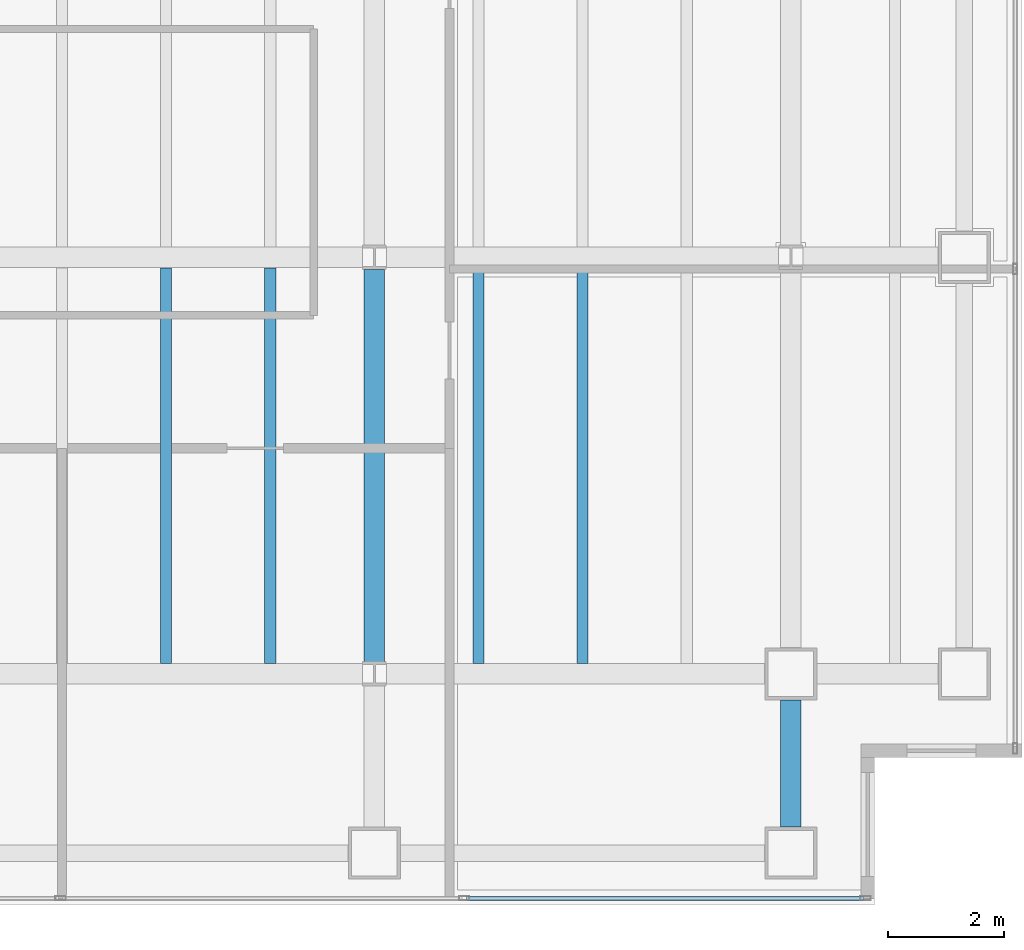
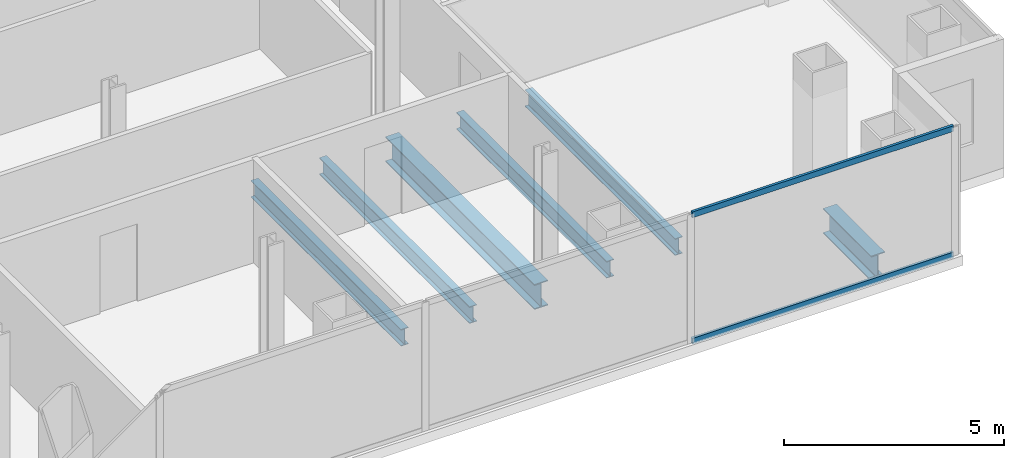
# One storey, part 10 of 23: 6 beams, 2 members, 1 element without a shape of its own.
"""IFC4 building model written with IfcOpenShell, lengths in metres."""

from ifc_helpers import new_model, si_unit, direction, frame, origin, origin_2d, place, context, subcontext, project, spatial, hollow_rectangle, i_section, extrude, material, material_profile, profile_set, type_object, element, aggregate, save


model = new_model("IFC4")

# Units and contexts
model_context = context("Model", 3, precision=1e-05, world=origin(), true_north=direction((0.0, 1.0)))
body_context = subcontext(model_context, "Body", "Model", "MODEL_VIEW")
ifc_project = project(units=[si_unit("LENGTHUNIT", "METRE"), si_unit("AREAUNIT", "SQUARE_METRE"), si_unit("VOLUMEUNIT", "CUBIC_METRE"), si_unit("PLANEANGLEUNIT", "RADIAN"), si_unit("MASSUNIT", "GRAM", prefix="KILO")], contexts=[model_context])

# Site, building, storey
site_placement = place(None, origin())
site = spatial("IfcSite", under=ifc_project, at=site_placement, CompositionType="ELEMENT")
building_placement = place(site_placement, origin())
building = spatial("IfcBuilding", under=site, at=building_placement, Name="Cobrela Telecom Tower", CompositionType="ELEMENT")
storey_placement = place(building_placement, frame((0.0, 0.0, 129.14990234375)))
storey = spatial("IfcBuildingStorey", under=building, at=storey_placement, Name="L32", CompositionType="ELEMENT", Elevation=129.14990234375)

# Beams
ifc_material_1 = material(Name="Steel ASTM A992 Grade 50", Category="steel")
ifc_material_profile_1 = material_profile(ifc_material_1, i_section(OverallWidth=0.35595703125, OverallDepth=0.696044921875, WebThickness=0.015380859375, FlangeThickness=0.024658203125, FilletRadius=0.01806640625, at=origin_2d()), Name="W27X146")
ifc_profile_set_1 = profile_set([ifc_material_profile_1], Name="Steel ASTM A992 Grade 50")
beam_type_1 = type_object("IfcBeamType", Name="BM-GIRD-05", PredefinedType="USERDEFINED", material=ifc_profile_set_1)
beam_1_placement = place(storey_placement, frame((36.0, 7.409423828125, -0.617919921875), z_axis=(0.0, 1.0, 0.0), x_axis=(-1.0, 0.0, 0.0)))
element("IfcBeam", 1, at=beam_1_placement, inside=storey, type_object=beam_type_1, Name="L32 Primary Girder Y50", ObjectType="GIRDER", PredefinedType="USERDEFINED", context=body_context, shape_type="SweptSolid", body=[
    extrude(i_section(OverallWidth=0.35595703125, OverallDepth=0.696044921875, WebThickness=0.015380859375, FlangeThickness=0.024658203125, FilletRadius=0.01806640625, at=origin_2d()), origin(), (0.0, 0.0, 1.0), 6.781005859375),
])
beam_2_placement = place(storey_placement, frame((43.199951171875, 4.554931640625, -0.617919921875), z_axis=(0.0, 1.0, 0.0), x_axis=(-1.0, 0.0, 0.0)))
element("IfcBeam", 2, at=beam_2_placement, inside=storey, type_object=beam_type_1, Name="L32 Primary Girder Y52", ObjectType="GIRDER", PredefinedType="USERDEFINED", context=body_context, shape_type="SweptSolid", body=[
    extrude(i_section(OverallWidth=0.35595703125, OverallDepth=0.696044921875, WebThickness=0.015380859375, FlangeThickness=0.024658203125, FilletRadius=0.01806640625, at=origin_2d()), origin(), (0.0, 0.0, 1.0), 2.190185546875),
])
ifc_material_profile_2 = material_profile(ifc_material_1, i_section(OverallWidth=0.193115234375, OverallDepth=0.467041015625, WebThickness=0.011474609375, FlangeThickness=0.01904296875, FilletRadius=0.012939453125, at=origin_2d()), Name="W18X65")
ifc_profile_set_2 = profile_set([ifc_material_profile_2], Name="Steel ASTM A992 Grade 50")
beam_type_2 = type_object("IfcBeamType", Name="BM-JOIST-03", PredefinedType="JOIST", material=ifc_profile_set_2)
for number, where, z_axis, x_axis, name in (
    (3, (32.39990234375, 7.383056640625, -0.50341796875), (0.0, 1.0, 0.0), (-1.0, 0.0, 0.0), "L32 Secondary Composite Floor Beam J29"),
    (4, (34.199951171875, 7.383056640625, -0.50341796875), (0.0, 1.0, 0.0), (-1.0, 0.0, 0.0), "L32 Secondary Composite Floor Beam J31"),
    (5, (37.800048828125, 7.383056640625, -0.50341796875), (0.0, 1.0, 0.0), (-1.0, 0.0, 0.0), "L32 Secondary Composite Floor Beam J33"),
    (6, (39.60009765625, 7.383056640625, -0.50341796875), (0.0, 1.0, 0.0), (-1.0, 0.0, 0.0), "L32 Secondary Composite Floor Beam J35"),
):
    element("IfcBeam", number, at=place(storey_placement, frame(where, z_axis=z_axis, x_axis=x_axis)), inside=storey, type_object=beam_type_2, Name=name, PredefinedType="JOIST", context=body_context, shape_type="SweptSolid", body=[
        extrude(i_section(OverallWidth=0.193115234375, OverallDepth=0.467041015625, WebThickness=0.011474609375, FlangeThickness=0.01904296875, FilletRadius=0.012939453125, at=origin_2d()), origin(), (0.0, 0.0, 1.0), 6.833984375),
    ])

# Curtain wall, members
ifc_material_2 = material(Name="Anodized Bronze Aluminium 6063-T6", Category="aluminium")
curtain_wall_type = type_object("IfcCurtainWallType", Name="CW-SYS-TEL", PredefinedType="USERDEFINED", material=ifc_material_2)
curtain_wall_placement = place(storey_placement, origin())
curtain_wall = element("IfcCurtainWall", 7, at=curtain_wall_placement, inside=storey, type_object=curtain_wall_type, Name="L32 Unitised Bronze Curtain Wall 17", ObjectType="UNITISED CURTAIN WALL", PredefinedType="USERDEFINED")
ifc_material_profile_3 = material_profile(ifc_material_2, hollow_rectangle(XDim=0.070068359375, YDim=0.159912109375, WallThickness=0.00390625, at=origin_2d()), Name="ALU 70x160x4")
ifc_profile_set_3 = profile_set([ifc_material_profile_3], Name="Anodized Bronze Aluminium 6063-T6")
member_type = type_object("IfcMemberType", Name="CW-SYS-TEL-TRN", PredefinedType="USERDEFINED", material=ifc_profile_set_3)
member_1_placement = place(storey_placement, frame((44.455078125, 3.320068359375, 0.03515625), z_axis=(-1.0, 0.0, 0.0), x_axis=(0.0, -1.0, 0.0)))
member_1 = element("IfcMember", 8, at=member_1_placement, type_object=member_type, Name="CW-TEL transom 1.1", ObjectType="TRANSOM", PredefinedType="USERDEFINED", context=body_context, shape_type="SweptSolid", body=[
    extrude(hollow_rectangle(XDim=0.070068359375, YDim=0.159912109375, WallThickness=0.00390625, at=origin_2d()), origin(), (0.0, 0.0, 1.0), 6.8642578125),
])
member_2_placement = place(storey_placement, frame((44.455078125, 3.320068359375, 3.545166015625), z_axis=(-1.0, 0.0, 0.0), x_axis=(0.0, -1.0, 0.0)))
member_2 = element("IfcMember", 9, at=member_2_placement, type_object=member_type, Name="CW-TEL transom 1.2", ObjectType="TRANSOM", PredefinedType="USERDEFINED", context=body_context, shape_type="SweptSolid", body=[
    extrude(hollow_rectangle(XDim=0.070068359375, YDim=0.159912109375, WallThickness=0.00390625, at=origin_2d()), origin(), (0.0, 0.0, 1.0), 6.8642578125),
])
aggregate(curtain_wall, [member_1, member_2])

save(model, "model.ifc")
